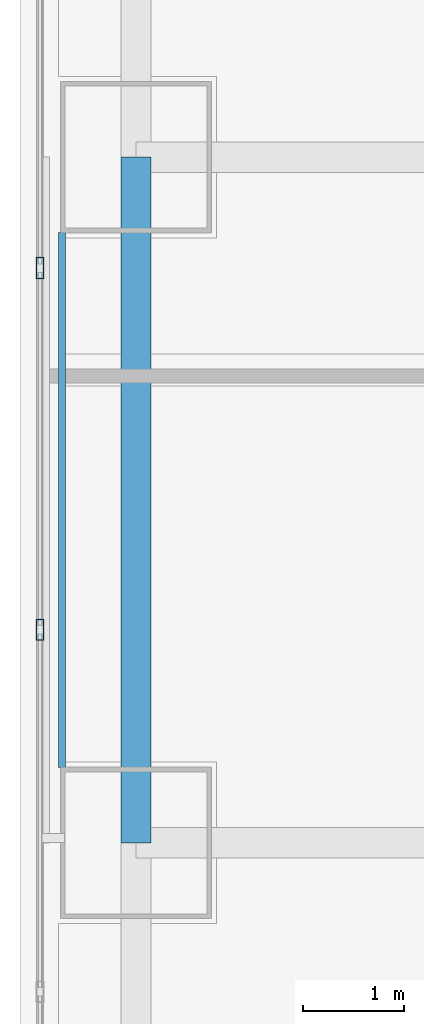
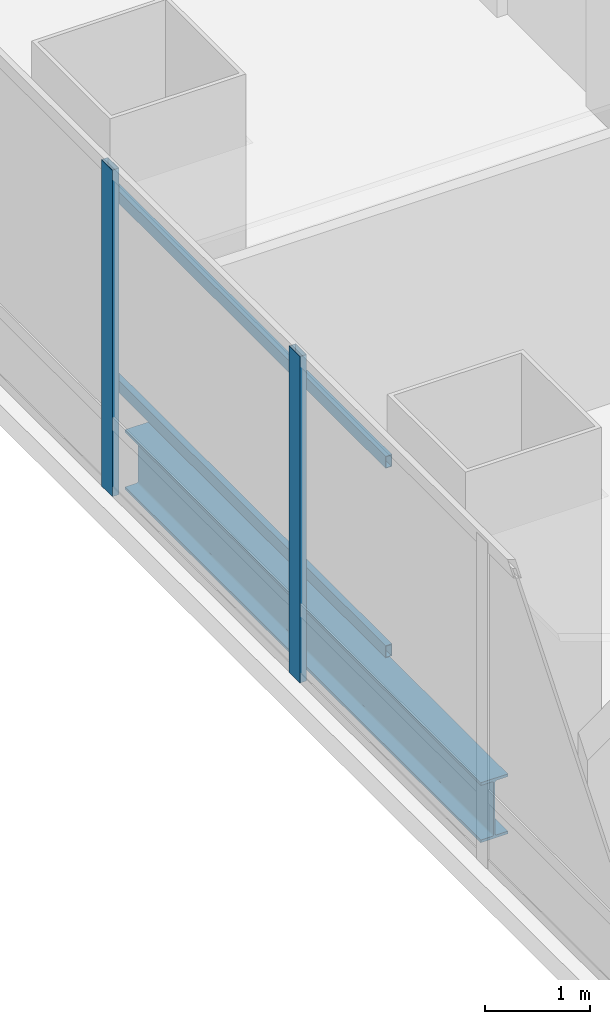
# One storey, part 9 of 35: 4 members, 1 beam, 1 element without a shape of its own.
"""IFC4 building model written with IfcOpenShell, lengths in metres."""

from ifc_helpers import new_model, si_unit, direction, frame, origin, origin_2d, place, context, subcontext, project, spatial, hollow_rectangle, i_section, extrude, material, material_profile, profile_set, type_object, element, aggregate, save


model = new_model("IFC4")

# Units and contexts
model_context = context("Model", 3, precision=1e-05, world=origin(), true_north=direction((0.0, 1.0)))
body_context = subcontext(model_context, "Body", "Model", "MODEL_VIEW")
ifc_project = project(units=[si_unit("LENGTHUNIT", "METRE"), si_unit("AREAUNIT", "SQUARE_METRE"), si_unit("VOLUMEUNIT", "CUBIC_METRE"), si_unit("PLANEANGLEUNIT", "RADIAN"), si_unit("MASSUNIT", "GRAM", prefix="KILO")], contexts=[model_context])

# Site, building, storey
site_placement = place(None, origin())
site = spatial("IfcSite", under=ifc_project, at=site_placement, CompositionType="ELEMENT")
building_placement = place(site_placement, origin())
building = spatial("IfcBuilding", under=site, at=building_placement, Name="Punatoya Terracotta Tower", CompositionType="ELEMENT")
storey_placement = place(building_placement, frame((0.0, 0.0, 113.25)))
storey = spatial("IfcBuildingStorey", under=building, at=storey_placement, Name="L26", CompositionType="ELEMENT", Elevation=113.25)

# Beam
ifc_material_1 = material(Name="Steel S355", Category="steel")
ifc_material_profile_1 = material_profile(ifc_material_1, i_section(OverallWidth=0.300048828125, OverallDepth=0.699951171875, WebThickness=0.01708984375, FlangeThickness=0.031982421875, FilletRadius=0.01806640625, at=origin_2d()))
ifc_profile_set_1 = profile_set([ifc_material_profile_1], Name="Steel S355")
beam_type = type_object("IfcBeamType", Name="BM-PRI-700", PredefinedType="BEAM", material=ifc_profile_set_1)
beam_placement = place(storey_placement, frame((-19.10009765625, -3.39990234375, -0.590087890625), z_axis=(0.0, 1.0, 0.0), x_axis=(-1.0, 0.0, 0.0)))
element("IfcBeam", 1, at=beam_placement, inside=storey, type_object=beam_type, Name="BM-L26-RG-W2", PredefinedType="BEAM", context=body_context, shape_type="SweptSolid", body=[
    extrude(i_section(OverallWidth=0.300048828125, OverallDepth=0.699951171875, WebThickness=0.01708984375, FlangeThickness=0.031982421875, FilletRadius=0.01806640625, at=origin_2d()), origin(), (0.0, 0.0, 1.0), 6.7998046875),
])

# Curtain wall, members
ifc_material_2 = material(Name="Aluminium 6063-T6 + Double Low-E Glass", Category="aluminium")
curtain_wall_type = type_object("IfcCurtainWallType", Name="CW-M1", PredefinedType="NOTDEFINED", material=ifc_material_2)
curtain_wall_placement = place(storey_placement, origin())
curtain_wall = element("IfcCurtainWall", 2, at=curtain_wall_placement, inside=storey, type_object=curtain_wall_type, Name="L26 Curtain Wall CW-L26-W12-1", PredefinedType="NOTDEFINED")
ifc_material_3 = material(Name="Aluminium 6063-T6", Category="aluminium")
ifc_material_profile_2 = material_profile(ifc_material_3, hollow_rectangle(XDim=0.074951171875, YDim=0.2099609375, WallThickness=0.00439453125, at=origin_2d()))
ifc_profile_set_2 = profile_set([ifc_material_profile_2], Name="Aluminium 6063-T6")
member_type_1 = type_object("IfcMemberType", Name="CW-MUL-M1", PredefinedType="MULLION", material=ifc_profile_set_2)
member_1_placement = place(storey_placement, frame((-20.050048828125, 2.2998046875, 0.0), z_axis=(0.0, 0.0, 1.0), x_axis=(1.0, 0.0, 0.0)))
member_1 = element("IfcMember", 3, at=member_1_placement, type_object=member_type_1, Name="CW-L26-W12-1 Mullion 05", PredefinedType="MULLION", context=body_context, shape_type="SweptSolid", body=[
    extrude(hollow_rectangle(XDim=0.074951171875, YDim=0.2099609375, WallThickness=0.00439453125, at=origin_2d()), origin(), (0.0, 0.0, 1.0), 3.81005859375),
])
member_2_placement = place(storey_placement, frame((-20.050048828125, -1.28759765625, 0.0), z_axis=(0.0, 0.0, 1.0), x_axis=(1.0, 0.0, 0.0)))
member_2 = element("IfcMember", 4, at=member_2_placement, type_object=member_type_1, Name="CW-L26-W12-1 Mullion 06", PredefinedType="MULLION", context=body_context, shape_type="SweptSolid", body=[
    extrude(hollow_rectangle(XDim=0.074951171875, YDim=0.2099609375, WallThickness=0.00439453125, at=origin_2d()), origin(), (0.0, 0.0, 1.0), 3.81005859375),
])
aggregate(curtain_wall, [member_1, member_2])

# Members
ifc_material_profile_3 = material_profile(ifc_material_1, hollow_rectangle(XDim=0.070068359375, YDim=0.139892578125, WallThickness=0.006103515625, at=origin_2d()))
ifc_profile_set_3 = profile_set([ifc_material_profile_3], Name="Steel S355")
member_type_2 = type_object("IfcMemberType", Name="MEM-BAG-RAIL", PredefinedType="USERDEFINED", material=ifc_profile_set_3)
for number, where, z_axis, x_axis, name in (
    (5, (-19.83203125, -2.650390625, 1.050048828125), (0.0, 1.0, 0.0), (-1.0, 0.0, 0.0), "L26 Terracotta Baguette Carrier Rail BAG-L26-W-R1"),
    (6, (-19.83203125, -2.650390625, 3.260009765625), (0.0, 1.0, 0.0), (-1.0, 0.0, 0.0), "L26 Terracotta Baguette Carrier Rail BAG-L26-W-R2"),
):
    element("IfcMember", number, at=place(storey_placement, frame(where, z_axis=z_axis, x_axis=x_axis)), inside=storey, type_object=member_type_2, Name=name, ObjectType="BAGUETTE", PredefinedType="USERDEFINED", context=body_context, shape_type="SweptSolid", body=[
        extrude(hollow_rectangle(XDim=0.070068359375, YDim=0.139892578125, WallThickness=0.006103515625, at=origin_2d()), origin(), (0.0, 0.0, 1.0), 5.30078125),
    ])

save(model, "model.ifc")
